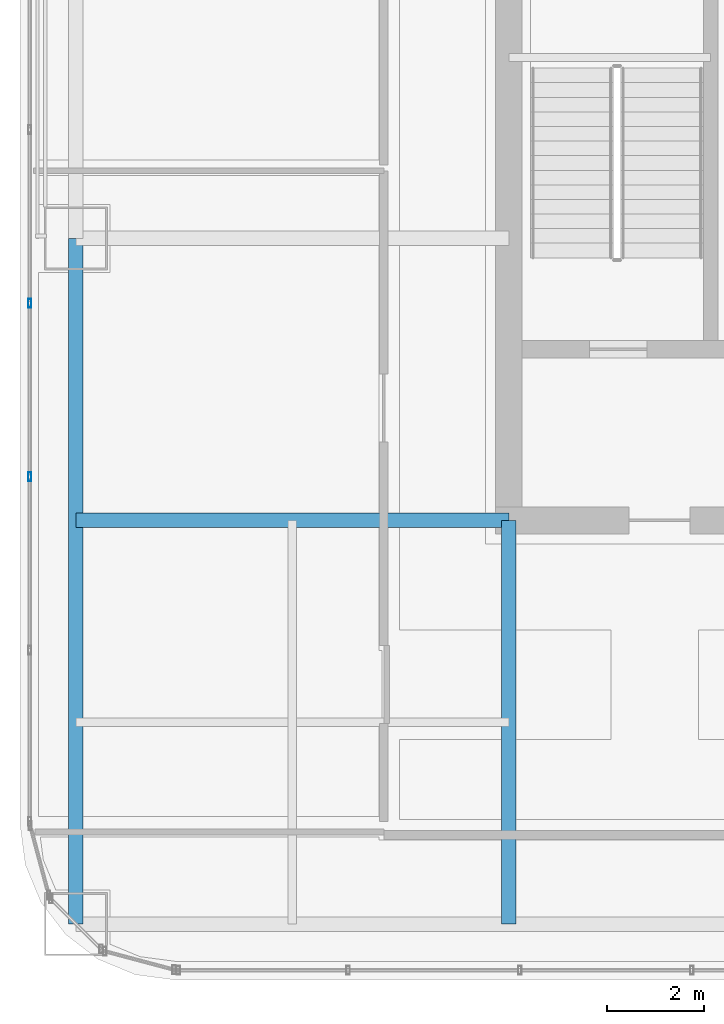
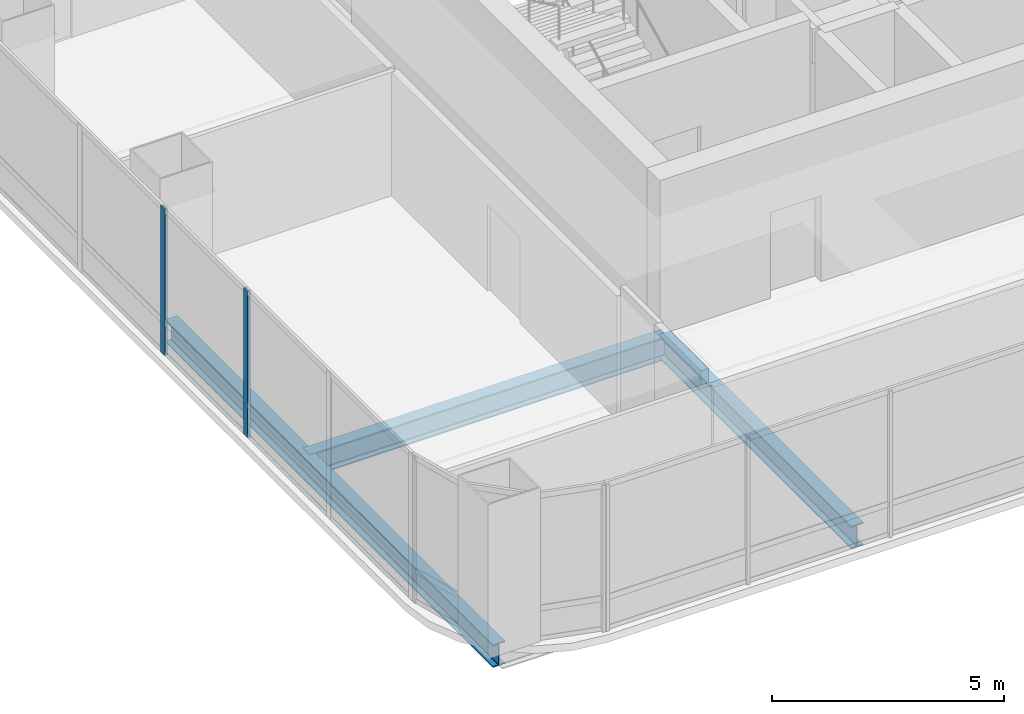
# One storey, part 4 of 40: 3 beams, 2 members, 1 element without a shape of its own.
"""IFC4 building model written with IfcOpenShell, lengths in metres."""

from ifc_helpers import new_model, si_unit, direction, frame, origin, origin_2d, place, context, subcontext, project, spatial, hollow_rectangle, i_section, extrude, material, material_profile, profile_set, type_object, element, aggregate, save


model = new_model("IFC4")

# Units and contexts
model_context = context("Model", 3, precision=1e-05, world=origin(), true_north=direction((0.0, 1.0)))
body_context = subcontext(model_context, "Body", "Model", "MODEL_VIEW")
ifc_project = project(units=[si_unit("LENGTHUNIT", "METRE"), si_unit("AREAUNIT", "SQUARE_METRE"), si_unit("VOLUMEUNIT", "CUBIC_METRE"), si_unit("PLANEANGLEUNIT", "RADIAN"), si_unit("MASSUNIT", "GRAM", prefix="KILO")], contexts=[model_context])

# Site, building, storey
site_placement = place(None, origin())
site = spatial("IfcSite", under=ifc_project, at=site_placement, CompositionType="ELEMENT")
building_placement = place(site_placement, origin())
building = spatial("IfcBuilding", under=site, at=building_placement, Name="Punatoya Terracotta Tower", CompositionType="ELEMENT")
storey_placement = place(building_placement, frame((0.0, 0.0, 271.64990234375)))
storey = spatial("IfcBuildingStorey", under=building, at=storey_placement, Name="L64", CompositionType="ELEMENT", Elevation=271.64990234375)

# Beams
ifc_material_1 = material(Name="Steel S355", Category="steel")
ifc_material_profile_1 = material_profile(ifc_material_1, i_section(OverallWidth=0.300048828125, OverallDepth=0.60009765625, WebThickness=0.015380859375, FlangeThickness=0.030029296875, FilletRadius=0.01806640625, at=origin_2d()))
ifc_profile_set_1 = profile_set([ifc_material_profile_1], Name="Steel S355")
beam_type = type_object("IfcBeamType", Name="BM-PRI-600", PredefinedType="BEAM", material=ifc_profile_set_1)
beam_1_placement = place(storey_placement, frame((-19.10009765625, -17.5, -0.5), z_axis=(0.0, 1.0, 0.0), x_axis=(-1.0, 0.0, 0.0)))
element("IfcBeam", 1, at=beam_1_placement, inside=storey, type_object=beam_type, Name="BM-L64-RG-W1", PredefinedType="BEAM", context=body_context, shape_type="SweptSolid", body=[
    extrude(i_section(OverallWidth=0.300048828125, OverallDepth=0.60009765625, WebThickness=0.015380859375, FlangeThickness=0.030029296875, FilletRadius=0.01806640625, at=origin_2d()), origin(), (0.0, 0.0, 1.0), 14.10009765625),
])
beam_2_placement = place(storey_placement, frame((-19.10009765625, -9.199951171875, -0.5), z_axis=(1.0, 0.0, 0.0), x_axis=(0.0, 1.0, 0.0)))
element("IfcBeam", 2, at=beam_2_placement, inside=storey, type_object=beam_type, Name="BM-L64-PR-WS", PredefinedType="BEAM", context=body_context, shape_type="SweptSolid", body=[
    extrude(i_section(OverallWidth=0.300048828125, OverallDepth=0.60009765625, WebThickness=0.015380859375, FlangeThickness=0.030029296875, FilletRadius=0.01806640625, at=origin_2d()), origin(), (0.0, 0.0, 1.0), 8.900146484375),
])
beam_3_placement = place(storey_placement, frame((-10.199951171875, -17.5, -0.5), z_axis=(0.0, 1.0, 0.0), x_axis=(-1.0, 0.0, 0.0)))
element("IfcBeam", 3, at=beam_3_placement, inside=storey, type_object=beam_type, Name="BM-L64-PR-S1", PredefinedType="BEAM", context=body_context, shape_type="SweptSolid", body=[
    extrude(i_section(OverallWidth=0.300048828125, OverallDepth=0.60009765625, WebThickness=0.015380859375, FlangeThickness=0.030029296875, FilletRadius=0.01806640625, at=origin_2d()), origin(), (0.0, 0.0, 1.0), 8.300048828125),
])

# Curtain wall, members
ifc_material_2 = material(Name="Aluminium 6063-T6 + Double Low-E Glass", Category="aluminium")
curtain_wall_type = type_object("IfcCurtainWallType", Name="CW-M3", PredefinedType="NOTDEFINED", material=ifc_material_2)
curtain_wall_placement = place(storey_placement, origin())
curtain_wall = element("IfcCurtainWall", 4, at=curtain_wall_placement, inside=storey, type_object=curtain_wall_type, Name="L64 Curtain Wall CW-L64-W13-1", PredefinedType="NOTDEFINED")
ifc_material_3 = material(Name="Aluminium 6063-T6", Category="aluminium")
ifc_material_profile_2 = material_profile(ifc_material_3, hollow_rectangle(XDim=0.070068359375, YDim=0.179931640625, WallThickness=0.00390625, at=origin_2d()))
ifc_profile_set_2 = profile_set([ifc_material_profile_2], Name="Aluminium 6063-T6")
member_type = type_object("IfcMemberType", Name="CW-MUL-M3", PredefinedType="MULLION", material=ifc_profile_set_2)
member_1_placement = place(storey_placement, frame((-20.050048828125, -4.73486328125, 0.0), z_axis=(0.0, 0.0, 1.0), x_axis=(1.0, 0.0, 0.0)))
member_1 = element("IfcMember", 5, at=member_1_placement, type_object=member_type, Name="CW-L64-W13-1 Mullion 07", PredefinedType="MULLION", context=body_context, shape_type="SweptSolid", body=[
    extrude(hollow_rectangle(XDim=0.070068359375, YDim=0.179931640625, WallThickness=0.00390625, at=origin_2d()), origin(), (0.0, 0.0, 1.0), 3.85009765625),
])
member_2_placement = place(storey_placement, frame((-20.050048828125, -8.302001953125, 0.0), z_axis=(0.0, 0.0, 1.0), x_axis=(1.0, 0.0, 0.0)))
member_2 = element("IfcMember", 6, at=member_2_placement, type_object=member_type, Name="CW-L64-W13-1 Mullion 08", PredefinedType="MULLION", context=body_context, shape_type="SweptSolid", body=[
    extrude(hollow_rectangle(XDim=0.070068359375, YDim=0.179931640625, WallThickness=0.00390625, at=origin_2d()), origin(), (0.0, 0.0, 1.0), 3.85009765625),
])
aggregate(curtain_wall, [member_1, member_2])

save(model, "model.ifc")
